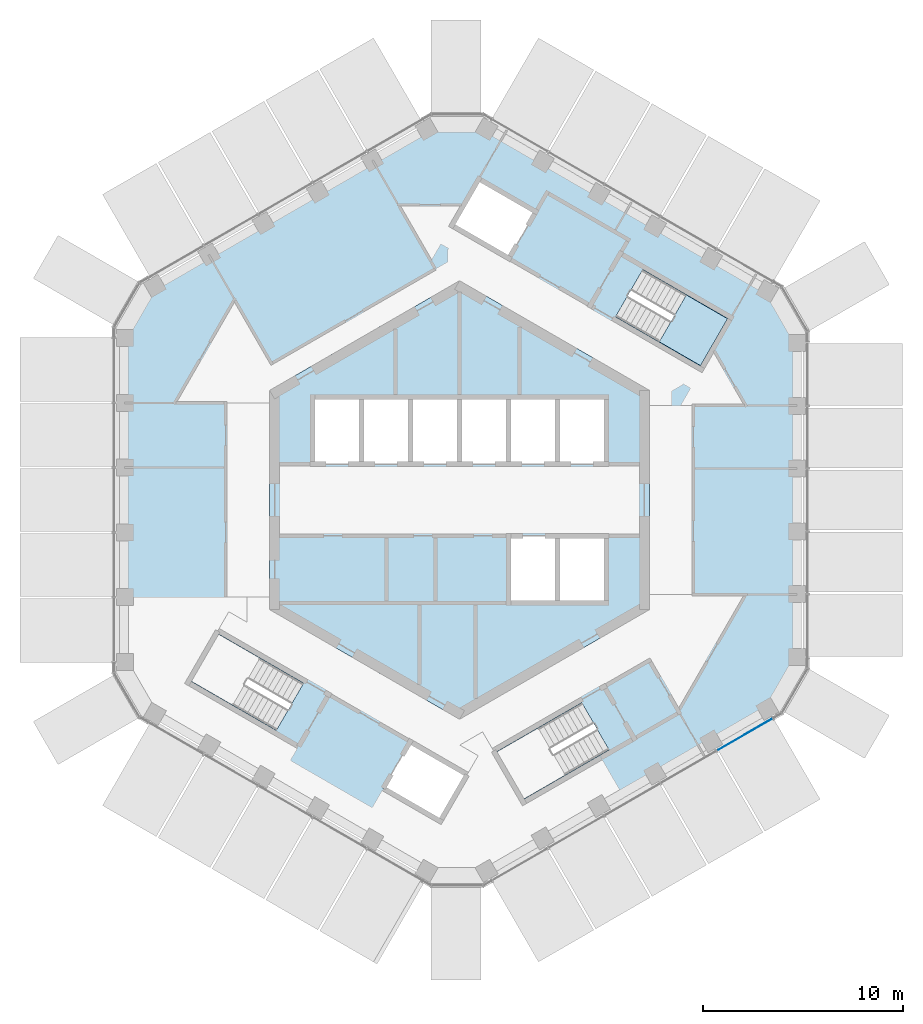
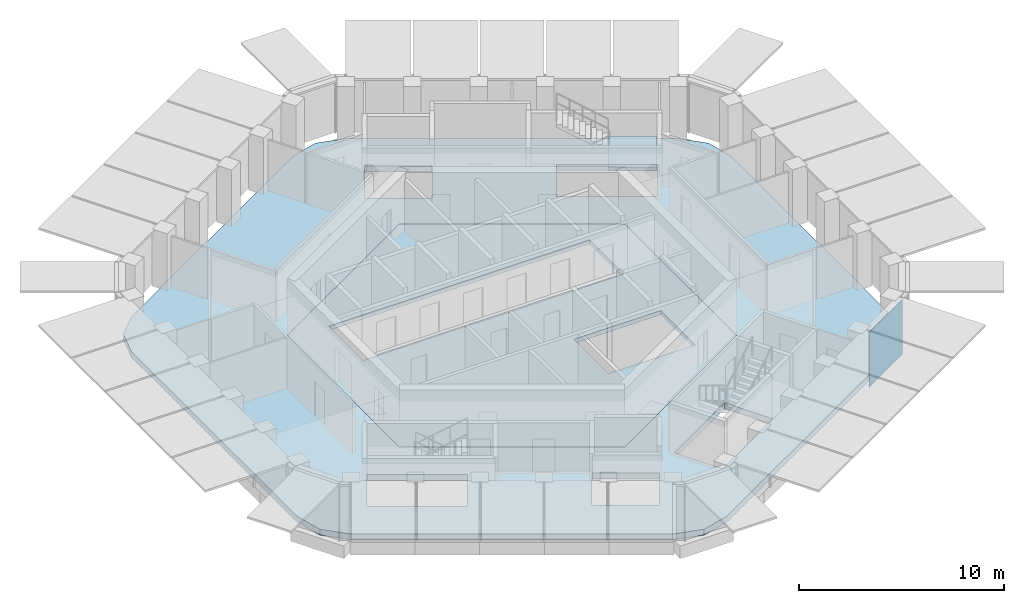
# One storey, part 9 of 17: 3 slabs, 1 plate, 2 elements without a shape of their own.
"""IFC4 building model written with IfcOpenShell, lengths in metres."""

from ifc_helpers import new_model, si_unit, direction, frame, origin, origin_2d, place, context, subcontext, project, spatial, polyline, rectangle, outline, extrude, material, layer, layer_set, type_object, element, aggregate, save


model = new_model("IFC4")

# Units and contexts
model_context = context("Model", 3, precision=1e-05, world=origin(), true_north=direction((0.0, 1.0)))
body_context = subcontext(model_context, "Body", "Model", "MODEL_VIEW")
ifc_project = project(units=[si_unit("LENGTHUNIT", "METRE"), si_unit("AREAUNIT", "SQUARE_METRE"), si_unit("VOLUMEUNIT", "CUBIC_METRE"), si_unit("PLANEANGLEUNIT", "RADIAN"), si_unit("MASSUNIT", "GRAM", prefix="KILO")], contexts=[model_context])

# Site, building, storey
site_placement = place(None, origin())
site = spatial("IfcSite", under=ifc_project, at=site_placement, CompositionType="ELEMENT")
building_placement = place(site_placement, origin())
building = spatial("IfcBuilding", under=site, at=building_placement, Name="Ayvan Gate Tower", CompositionType="ELEMENT")
storey_placement = place(building_placement, frame((0.0, 0.0, 225.699951171875)))
storey = spatial("IfcBuildingStorey", under=building, at=storey_placement, Name="L60", CompositionType="ELEMENT", Elevation=225.699951171875)

# Slabs
ifc_material_1 = material(Name="Concrete C40/50", Category="concrete")
ifc_layer_1 = layer(ifc_material_1, 0.35009765625)
ifc_layer_set_1 = layer_set([ifc_layer_1], Name="Concrete C40/50")
slab_type_1 = type_object("IfcSlabType", Name="Post-tensioned flat slab 350", PredefinedType="FLOOR", material=ifc_layer_set_1)
slab_1_placement = place(storey_placement, frame((0.0, 0.0, -0.349853515625)))
element("IfcSlab", 1, at=slab_1_placement, inside=storey, type_object=slab_type_1, Name="SL-L60", PredefinedType="FLOOR", context=body_context, shape_type="SweptSolid", body=[
    extrude(outline(polyline([(1.38134765625, -18.5654296875), (-0.11865234375, -18.96728515625), (-1.61865234375, -18.5654296875), (-15.268798828125, -10.6845703125), (-16.366943359375, -9.58642578125), (-16.768798828125, -8.08642578125), (-16.768798828125, 8.08642578125), (-16.366943359375, 9.58642578125), (-15.268798828125, 10.6845703125), (-1.61865234375, 18.5654296875), (-0.11865234375, 18.96728515625), (1.38134765625, 18.5654296875), (15.387451171875, 10.47900390625), (16.485595703125, 9.380859375), (16.887451171875, 7.880859375), (16.887451171875, -7.880859375), (16.485595703125, -9.380859375), (15.387451171875, -10.47900390625), (1.38134765625, -18.5654296875)]), holes=[polyline([(12.049560546875, 6.720458984375), (13.404541015625, 9.0673828125), (9.1611328125, 11.517578125), (7.80615234375, 9.170654296875), (12.049560546875, 6.720458984375)]), polyline([(9.5, 5.48486328125), (0.0, 10.9697265625), (-9.5, 5.48486328125), (-9.5, -5.48486328125), (0.0, -10.9697265625), (9.5, -5.48486328125), (9.5, 5.48486328125)]), polyline([(1.873779296875, -12.595458984375), (3.228759765625, -14.9423828125), (7.472412109375, -12.492431640625), (6.117431640625, -10.1455078125), (1.873779296875, -12.595458984375)]), polyline([(3.822509765625, 14.420654296875), (0.964599609375, 16.07080078125), (-0.385498046875, 13.732421875), (2.472412109375, 12.08251953125), (3.822509765625, 14.420654296875)]), polyline([(0.385498046875, -13.732421875), (-2.472412109375, -12.08251953125), (-3.822509765625, -14.420654296875), (-0.964599609375, -16.07080078125), (0.385498046875, -13.732421875)]), polyline([(-9.1611328125, -11.517578125), (-7.80615234375, -9.170654296875), (-12.049560546875, -6.720458984375), (-13.404541015625, -9.0673828125), (-9.1611328125, -11.517578125)])]), origin(), (0.0, 0.0, 1.0), 0.349853515625),
])
ifc_layer_2 = layer(ifc_material_1, 0.25)
ifc_layer_set_2 = layer_set([ifc_layer_2], Name="Concrete C40/50")
slab_type_2 = type_object("IfcSlabType", Name="SL-CORE-250", PredefinedType="FLOOR", material=ifc_layer_set_2)
slab_2_placement = place(storey_placement, frame((0.0, 0.0, -0.25)))
element("IfcSlab", 2, at=slab_2_placement, inside=storey, type_object=slab_type_2, Name="CS-L60", PredefinedType="FLOOR", context=body_context, shape_type="SweptSolid", body=[
    extrude(outline(polyline([(9.5, -5.48486328125), (0.0, -10.9697265625), (-9.5, -5.48486328125), (-9.5, 5.48486328125), (0.0, 10.9697265625), (9.5, 5.48486328125), (9.5, -5.48486328125)]), holes=[polyline([(-7.35009765625, 5.14990234375), (-7.35009765625, 1.800048828125), (7.35009765625, 1.800048828125), (7.35009765625, 5.14990234375), (-7.35009765625, 5.14990234375)]), polyline([(2.449951171875, -1.800048828125), (2.449951171875, -5.14990234375), (7.35009765625, -5.14990234375), (7.35009765625, -1.800048828125), (2.449951171875, -1.800048828125)])]), origin(), (0.0, 0.0, 1.0), 0.25),
])

# Stair, slab
stair_type = type_object("IfcStairType", Name="ST-EXIT", PredefinedType="HALF_TURN_STAIR", material=ifc_material_1)
stair_placement = place(storey_placement, origin())
stair = element("IfcStair", 3, at=stair_placement, inside=storey, type_object=stair_type, Name="L60 Exit Stair S1", PredefinedType="HALF_TURN_STAIR")
ifc_layer_3 = layer(ifc_material_1, 0.199951171875)
ifc_layer_set_3 = layer_set([ifc_layer_3], Name="Concrete C40/50")
slab_type_3 = type_object("IfcSlabType", Name="SL-LANDING-200", PredefinedType="LANDING", material=ifc_layer_set_3)
slab_3_placement = place(storey_placement, frame((0.0, 0.0, 1.5)))
slab_3 = element("IfcSlab", 4, at=slab_3_placement, type_object=slab_type_3, Name="STS1 landing 1", PredefinedType="LANDING", context=body_context, shape_type="SweptSolid", body=[
    extrude(outline(polyline([(9.988525390625, 7.91064453125), (12.049560546875, 6.720458984375), (13.404541015625, 9.0673828125), (11.343505859375, 10.257568359375), (9.988525390625, 7.91064453125)])), origin(), (0.0, 0.0, 1.0), 0.199951171875),
])
aggregate(stair, [slab_3])

# Curtain wall, plate
ifc_material_2 = material(Name="Bronze anodised aluminium", Category="aluminium")
ifc_layer_4 = layer(ifc_material_2, 0.199951171875)
ifc_layer_set_4 = layer_set([ifc_layer_4], Name="Bronze anodised aluminium")
curtain_wall_type = type_object("IfcCurtainWallType", Name="Stick curtain wall CW-2", PredefinedType="NOTDEFINED", material=ifc_layer_set_4)
curtain_wall_placement = place(storey_placement, origin())
curtain_wall = element("IfcCurtainWall", 5, at=curtain_wall_placement, inside=storey, type_object=curtain_wall_type, Name="Stick curtain wall CW-2 L60", PredefinedType="NOTDEFINED")
ifc_material_3 = material(Name="Clear low-iron laminated glass", Category="glass")
ifc_layer_5 = layer(ifc_material_3, 0.028076171875)
ifc_layer_set_5 = layer_set([ifc_layer_5], Name="Clear low-iron laminated glass")
plate_type = type_object("IfcPlateType", Name="Stick curtain wall CW-2 glass panel", PredefinedType="CURTAIN_PANEL", material=ifc_layer_set_5)
plate_placement = place(storey_placement, frame((14.283935546875, -11.722412109375, 0.0), z_axis=(0.0, 0.0, 1.0), x_axis=(0.866025403784, 0.5, 0.0)))
plate = element("IfcPlate", 6, at=plate_placement, type_object=plate_type, Name="CW-2 glass panel 5", PredefinedType="CURTAIN_PANEL", context=body_context, shape_type="SweptSolid", body=[
    extrude(rectangle(XDim=3.22314453125, YDim=0.028076171875, at=origin_2d()), origin(), (0.0, 0.0, 1.0), 3.280029296875),
])
aggregate(curtain_wall, [plate])

save(model, "model.ifc")
